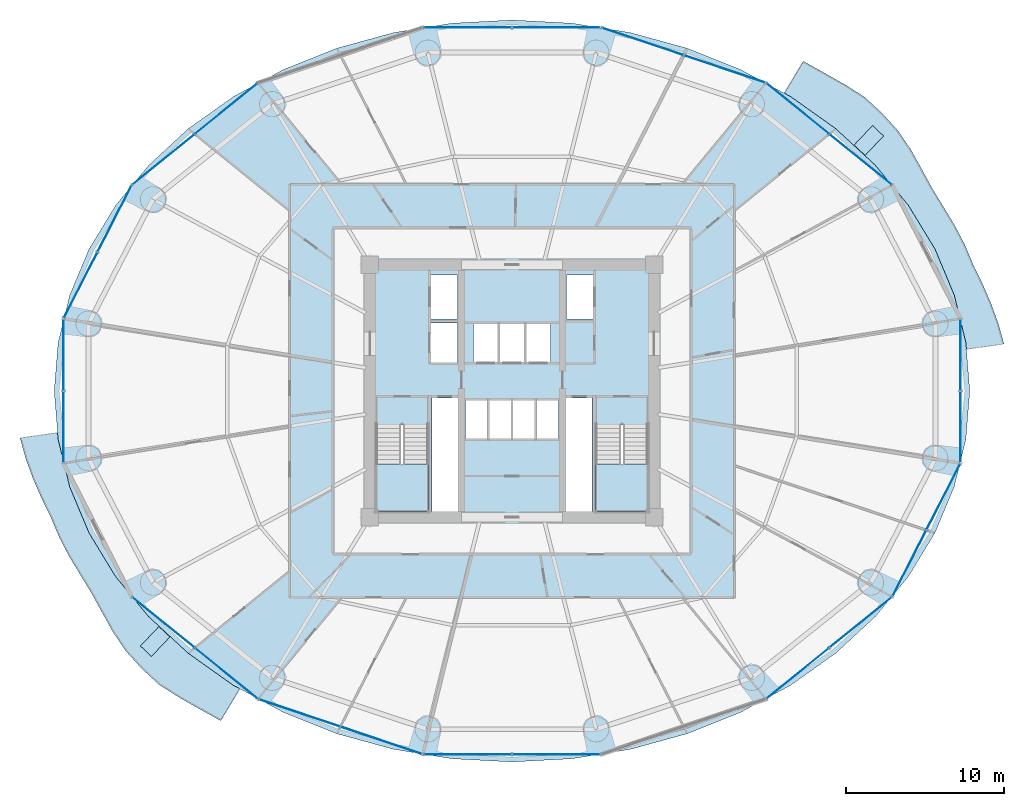
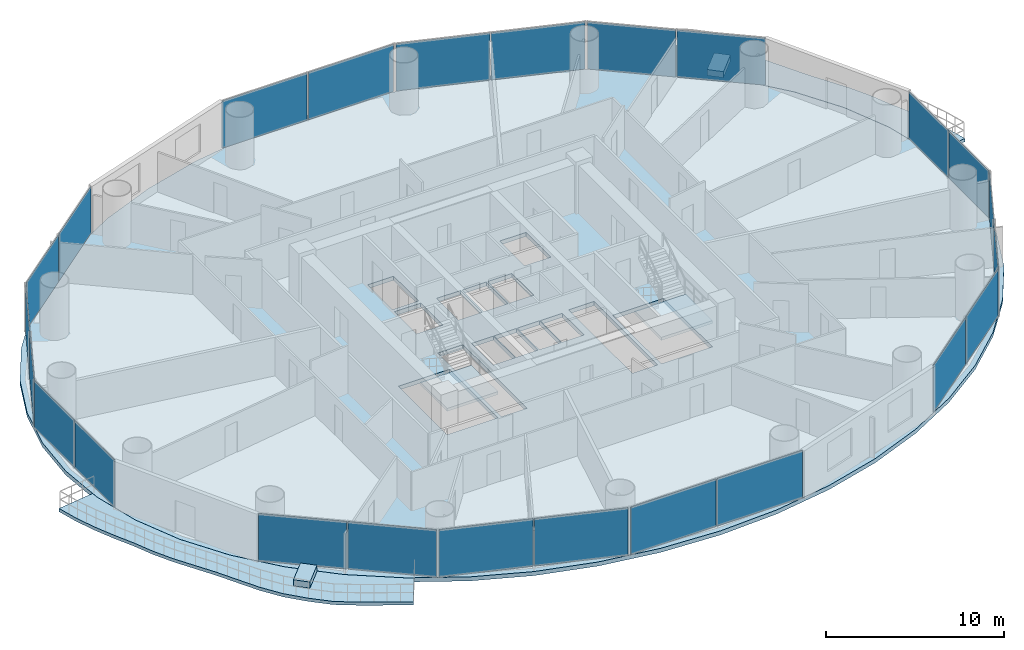
# One storey, part 22 of 30: 24 plates, 7 slabs, 14 elements without a shape of their own.
"""IFC4 building model written with IfcOpenShell, lengths in metres."""

import ifcopenshell
import ifcopenshell.guid

model = None  # the IFC model being written
_history = None  # IfcOwnerHistory: only IFC2X3 demands one
_inside = {}  # id of a spatial element -> (the spatial element, [elements in it])
_under = {}  # id of a project, library or spatial element -> (it, [spatial elements below it])
_declared = {}  # id of a project -> (the project, [libraries it declares])
_typed = {}  # id of a type object -> (the type object, [elements of that type])
_made_of = {}  # id of a material, layer set ... -> (it, [elements and type objects made of it])


def new_model(schema):
    """Start an empty IFC model of exactly this schema.

    Asked for "IFC4X3", IfcOpenShell would pick the latest addendum, in which some entities
    have other attributes; the version numbers below select the first issue.
    IFC2X3 requires an IfcOwnerHistory on every rooted entity: one is made here for all.
    """
    global model, _history
    if schema == "IFC4X3":
        model = ifcopenshell.file(schema_version=(4, 3, 0, 0))
    else:
        model = ifcopenshell.file(schema=schema)
    _inside.clear()
    _under.clear()
    _declared.clear()
    _typed.clear()
    _made_of.clear()
    _history = None
    if model.schema == "IFC2X3":
        org = make("IfcOrganization", Name="unknown")
        user = make(
            "IfcPersonAndOrganization",
            ThePerson=make("IfcPerson", FamilyName="unknown"),
            TheOrganization=org,
        )
        app = make(
            "IfcApplication",
            ApplicationDeveloper=org,
            Version="unknown",
            ApplicationFullName="unknown",
            ApplicationIdentifier="unknown",
        )
        _history = make(
            "IfcOwnerHistory",
            OwningUser=user,
            OwningApplication=app,
            ChangeAction="ADDED",
            CreationDate=0,
        )
    return model


def make(cls, **values):
    """One entity of the class cls with the attributes given. An attribute that is None is left unset."""
    return model.create_entity(
        cls, **{name: value for name, value in values.items() if value is not None}
    )


def rooted(cls, **values):
    """An entity with a GlobalId (a new one), such as an element, a storey or a relation."""
    return make(cls, GlobalId=ifcopenshell.guid.new(), OwnerHistory=_history, **values)


def si_unit(unit_type, name, prefix=None):
    """IfcSIUnit, for example si_unit("LENGTHUNIT", "METRE", prefix="MILLI")."""
    return make("IfcSIUnit", UnitType=unit_type, Prefix=prefix, Name=name)


def assignment(units):
    """IfcUnitAssignment: the units of a project."""
    return None if units is None else make("IfcUnitAssignment", Units=units)


def point(xyz):
    """IfcCartesianPoint."""
    return None if xyz is None else make("IfcCartesianPoint", Coordinates=xyz)


def direction(xyz):
    """IfcDirection."""
    return None if xyz is None else make("IfcDirection", DirectionRatios=xyz)


def frame(location, z_axis=None, x_axis=None):
    """IfcAxis2Placement3D, a coordinate frame: its origin and axes. An axis left out is left unset."""
    return make(
        "IfcAxis2Placement3D",
        Location=point(location),
        Axis=direction(z_axis),
        RefDirection=direction(x_axis),
    )


def frame_2d(location, x_axis=None):
    """IfcAxis2Placement2D, a coordinate frame in the plane: its origin and x axis."""
    return make(
        "IfcAxis2Placement2D", Location=point(location), RefDirection=direction(x_axis)
    )


def origin():
    """The frame at (0, 0, 0) with its axes left unset."""
    return frame((0.0, 0.0, 0.0))


def origin_2d():
    """The frame at (0, 0) in the plane with its x axis left unset."""
    return frame_2d((0.0, 0.0))


def place(relative_to, where):
    """IfcLocalPlacement: puts the frame where relative to a parent placement (None: the world)."""
    return make(
        "IfcLocalPlacement", PlacementRelTo=relative_to, RelativePlacement=where
    )


def context(
    kind, dimensions, precision=None, world=None, true_north=None, identifier=None
):
    """IfcGeometricRepresentationContext, for example the 3D "Model" context."""
    return make(
        "IfcGeometricRepresentationContext",
        ContextIdentifier=identifier,
        ContextType=kind,
        CoordinateSpaceDimension=dimensions,
        Precision=precision,
        WorldCoordinateSystem=world,
        TrueNorth=true_north,
    )


def subcontext(parent, identifier, kind, view, scale=None):
    """IfcGeometricRepresentationSubContext, for example "Body" below "Model"."""
    return make(
        "IfcGeometricRepresentationSubContext",
        ContextIdentifier=identifier,
        ContextType=kind,
        ParentContext=parent,
        TargetScale=scale,
        TargetView=view,
    )


def project(units=None, contexts=None):
    """IfcProject with its units and contexts."""
    return rooted(
        "IfcProject",
        Name="project",
        RepresentationContexts=contexts,
        UnitsInContext=assignment(units),
    )


def spatial(cls, under=None, at=None, **own):
    """A site, building, storey or space (cls), placed at a placement, below another one or the project."""
    s = rooted(cls, ObjectPlacement=at, **own)
    if under is not None:
        _under.setdefault(under.id(), (under, []))[1].append(s)
    return s


def polyline(points):
    """IfcPolyline through the points."""
    return make("IfcPolyline", Points=[point(p) for p in points])


def profile(cls, at=None, kind="AREA", **sizes):
    """A parametric profile (cls). Its sizes go by their IFC names, for example OverallWidth=200.0."""
    return make(cls, ProfileType=kind, Position=at, **sizes)


def rectangle(**sizes):
    """IfcRectangleProfileDef."""
    return profile("IfcRectangleProfileDef", **sizes)


def outline(outer, holes=None, kind="AREA"):
    """IfcArbitraryClosedProfileDef: a profile drawn as a closed curve; with holes, ...WithVoids."""
    if holes is None:
        return make("IfcArbitraryClosedProfileDef", ProfileType=kind, OuterCurve=outer)
    return make(
        "IfcArbitraryProfileDefWithVoids",
        ProfileType=kind,
        OuterCurve=outer,
        InnerCurves=holes,
    )


def extrude(swept, where, along, depth):
    """IfcExtrudedAreaSolid: the profile swept, set in the frame where, extruded along a direction by depth."""
    return make(
        "IfcExtrudedAreaSolid",
        SweptArea=swept,
        Position=where,
        ExtrudedDirection=direction(along),
        Depth=depth,
    )


def shape(context_of_items, identifier, shape_type, items):
    """IfcShapeRepresentation: the items that make up one representation, for example the "Body"."""
    return make(
        "IfcShapeRepresentation",
        ContextOfItems=context_of_items,
        RepresentationIdentifier=identifier,
        RepresentationType=shape_type,
        Items=items,
    )


def source(mapping_origin, context_of_items, identifier, shape_type, items):
    """IfcRepresentationMap: a shape defined once, which mapped items show again and again."""
    return make(
        "IfcRepresentationMap",
        MappingOrigin=mapping_origin,
        MappedRepresentation=shape(context_of_items, identifier, shape_type, items),
    )


def transform(
    local_origin,
    x_axis=None,
    y_axis=None,
    z_axis=None,
    scale=None,
    scale2=None,
    scale3=None,
    uniform=True,
):
    """IfcCartesianTransformationOperator3D, or its non-uniform kind. x_axis, y_axis, z_axis: its Axis1, 2, 3."""
    if uniform:
        return make(
            "IfcCartesianTransformationOperator3D",
            Axis1=direction(x_axis),
            Axis2=direction(y_axis),
            LocalOrigin=point(local_origin),
            Scale=scale,
            Axis3=direction(z_axis),
        )
    return make(
        "IfcCartesianTransformationOperator3DnonUniform",
        Axis1=direction(x_axis),
        Axis2=direction(y_axis),
        LocalOrigin=point(local_origin),
        Scale=scale,
        Axis3=direction(z_axis),
        Scale2=scale2,
        Scale3=scale3,
    )


def mapped(mapping_source, mapping_target):
    """IfcMappedItem: shows the shape of a source again, moved by a transform."""
    return make(
        "IfcMappedItem", MappingSource=mapping_source, MappingTarget=mapping_target
    )


def material(Name=None, Category=None):
    """IfcMaterial."""
    return make("IfcMaterial", Name=Name, Category=Category)


def layer(
    of_material, thickness, ventilated=None, Name=None, Category=None, Priority=None
):
    """IfcMaterialLayer: one layer of a wall or slab, of a material (None: an air gap)."""
    return make(
        "IfcMaterialLayer",
        Material=of_material,
        LayerThickness=thickness,
        IsVentilated=ventilated,
        Name=Name,
        Category=Category,
        Priority=Priority,
    )


def layer_set(layers, Name=None):
    """IfcMaterialLayerSet."""
    return make("IfcMaterialLayerSet", MaterialLayers=layers, LayerSetName=Name)


def made_of(thing, what):
    """Note that an element or type object is made of a material, layer set ...; save() writes the relation."""
    if what is not None:
        _made_of.setdefault(what.id(), (what, []))[1].append(thing)
    return thing


def type_object(cls, material=None, **own):
    """A type object (cls), such as IfcWallType, which elements share."""
    return made_of(rooted(cls, **own), material)


def element(
    cls,
    number,
    at=None,
    inside=None,
    cuts=None,
    type_object=None,
    material=None,
    context=None,
    identifier="Body",
    shape_type=None,
    held_by="IfcProductDefinitionShape",
    body=None,
    shapes=None,
    **own,
):
    """One element of the class cls, such as IfcWall. Its Tag is "e" and its number.

    at: its placement. inside: the storey or other place that contains it. cuts: it is an
    opening in that element (IfcRelVoidsElement). A single representation is given by context,
    identifier, shape_type and body (its items); several are given by shapes. held_by: the class
    of the entity that holds the representations. save() writes the other relations.
    """
    e = rooted(cls, Tag="e%d" % number, ObjectPlacement=at, **own)
    if body is not None:
        shapes = [shape(context, identifier, shape_type, body)]
    if shapes is not None:
        e.Representation = make(held_by, Representations=shapes)
    if inside is not None:
        _inside.setdefault(inside.id(), (inside, []))[1].append(e)
    if cuts is not None:
        rooted(
            "IfcRelVoidsElement", RelatingBuildingElement=cuts, RelatedOpeningElement=e
        )
    if type_object is not None:
        _typed.setdefault(type_object.id(), (type_object, []))[1].append(e)
    return made_of(e, material)


def aggregate(whole, parts):
    """IfcRelAggregates: a whole, such as a stair, and the parts it consists of."""
    return rooted("IfcRelAggregates", RelatingObject=whole, RelatedObjects=parts)


def save(model, path):
    """Write the relations noted so far, then the file.

    IfcRelAggregates (storeys below a building ...), IfcRelContainedInSpatialStructure (elements
    in a storey), IfcRelDefinesByType, IfcRelAssociatesMaterial and IfcRelDeclares: one each for
    every whole, place, type object, material and project.
    """
    for whole, parts in _under.values():
        aggregate(whole, parts)
    for where, things in _inside.values():
        rooted(
            "IfcRelContainedInSpatialStructure",
            RelatedElements=things,
            RelatingStructure=where,
        )
    for kind, things in _typed.values():
        rooted("IfcRelDefinesByType", RelatedObjects=things, RelatingType=kind)
    for what, things in _made_of.values():
        rooted("IfcRelAssociatesMaterial", RelatedObjects=things, RelatingMaterial=what)
    for by, libraries in _declared.values():
        rooted("IfcRelDeclares", RelatingContext=by, RelatedDefinitions=libraries)
    model.write(path)


model = new_model("IFC4")

# Units and contexts
model_context = context("Model", 3, precision=1e-05, world=origin(), true_north=direction((-0.2419218956, 0.970295726276)))
body_context = subcontext(model_context, "Body", "Model", "MODEL_VIEW")
ifc_project = project(units=[si_unit("LENGTHUNIT", "METRE"), si_unit("AREAUNIT", "SQUARE_METRE"), si_unit("VOLUMEUNIT", "CUBIC_METRE"), si_unit("PLANEANGLEUNIT", "RADIAN"), si_unit("MASSUNIT", "GRAM", prefix="KILO")], contexts=[model_context])

# Site, building, storey
site_placement = place(None, origin())
site = spatial("IfcSite", under=ifc_project, at=site_placement, CompositionType="ELEMENT")
building_placement = place(site_placement, origin())
building = spatial("IfcBuilding", under=site, at=building_placement, Name="Cobrevalo Terracotta Tower", CompositionType="ELEMENT")
storey_placement = place(building_placement, frame((0.0, 0.0, 31.199951171875)))
storey = spatial("IfcBuildingStorey", under=building, at=storey_placement, Name="L07", CompositionType="ELEMENT", Elevation=31.199951171875)

# Stair, slab
ifc_material_1 = material(Name="Concrete C50", Category="concrete")
stair_type = type_object("IfcStairType", Name="Core protected escape dogleg stair 1600", PredefinedType="HALF_TURN_STAIR", material=ifc_material_1)
stair_1_placement = place(storey_placement, origin())
stair_1 = element("IfcStair", 1, at=stair_1_placement, inside=storey, type_object=stair_type, Name="L07 Protected exit stair ST-1", PredefinedType="HALF_TURN_STAIR")
ifc_layer_1 = layer(ifc_material_1, 0.199951171875)
ifc_layer_set_1 = layer_set([ifc_layer_1], Name="Concrete C50")
slab_type_1 = type_object("IfcSlabType", Name="Reinforced Concrete Stair Landing 200", PredefinedType="LANDING", material=ifc_layer_set_1)
slab_1_placement = place(storey_placement, frame((0.0, 0.0, 1.60009765625)))
slab_1 = element("IfcSlab", 2, at=slab_1_placement, type_object=slab_type_1, Name="ST-1 landing 1", PredefinedType="LANDING", context=body_context, shape_type="SweptSolid", body=[
    extrude(outline(polyline([(29.375, 22.179931640625), (29.375, 19.175048828125), (32.695068359375, 19.175048828125), (32.695068359375, 22.179931640625), (29.375, 22.179931640625)])), origin(), (0.0, 0.0, 1.0), 0.199951171875),
])
aggregate(stair_1, [slab_1])

stair_2_placement = place(storey_placement, origin())
stair_2 = element("IfcStair", 3, at=stair_2_placement, inside=storey, type_object=stair_type, Name="L07 Protected exit stair ST-2", PredefinedType="HALF_TURN_STAIR")
slab_2_placement = place(storey_placement, frame((0.0, 0.0, 1.60009765625)))
slab_2 = element("IfcSlab", 4, at=slab_2_placement, type_object=slab_type_1, Name="ST-2 landing 1", PredefinedType="LANDING", context=body_context, shape_type="SweptSolid", body=[
    extrude(outline(polyline([(43.304931640625, 22.179931640625), (43.304931640625, 19.175048828125), (46.625, 19.175048828125), (46.625, 22.179931640625), (43.304931640625, 22.179931640625)])), origin(), (0.0, 0.0, 1.0), 0.199951171875),
])
aggregate(stair_2, [slab_2])

# Slabs
ifc_material_2 = material(Name="Concrete C45", Category="concrete")
ifc_layer_2 = layer(ifc_material_2, 0.219970703125)
ifc_layer_set_2 = layer_set([ifc_layer_2], Name="Concrete C45")
slab_type_2 = type_object("IfcSlabType", Name="Spiralling cantilevered balcony lobe slab 220 mm", PredefinedType="FLOOR", material=ifc_layer_set_2)
slab_3_placement = place(storey_placement, frame((0.0, 0.0, -0.219970703125)))
element("IfcSlab", 5, at=slab_3_placement, inside=storey, type_object=slab_type_2, Name="L07 spiralling arc balcony slab lobe 1", PredefinedType="FLOOR", context=body_context, shape_type="SweptSolid", body=[
    extrude(outline(polyline([(69.166259765625, 29.774658203125), (68.802001953125, 31.087158203125), (68.336669921875, 32.367431640625), (67.797119140625, 33.6044921875), (67.2041015625, 34.823974609375), (66.681884765625, 36.065185546875), (66.057861328125, 37.269287109375), (65.346435546875, 38.44091796875), (64.6337890625, 39.609619140625), (63.95068359375, 40.854736328125), (63.249755859375, 42.119873046875), (62.423828125, 43.32275390625), (61.427978515625, 44.41015625), (60.346923828125, 45.408935546875), (59.078857421875, 46.217041015625), (57.7724609375, 46.95654296875), (56.46435546875, 47.684326171875), (55.25146484375, 45.6640625), (55.6552734375, 45.4453125), (58.507568359375, 43.41845703125), (61.0087890625, 41.107177734375), (63.116455078125, 38.551025390625), (64.79443359375, 35.7939453125), (66.013671875, 32.8828125), (66.75390625, 29.86767578125), (66.788330078125, 29.4423828125), (69.166259765625, 29.774658203125)])), origin(), (0.0, 0.0, 1.0), 0.219970703125),
])
slab_4_placement = place(storey_placement, frame((0.0, 0.0, -0.219970703125)))
element("IfcSlab", 6, at=slab_4_placement, inside=storey, type_object=slab_type_2, Name="L07 spiralling arc balcony slab lobe 2", PredefinedType="FLOOR", context=body_context, shape_type="SweptSolid", body=[
    extrude(outline(polyline([(6.833740234375, 23.825439453125), (7.197998046875, 22.512939453125), (7.663330078125, 21.232666015625), (8.202880859375, 19.995361328125), (8.7958984375, 18.776123046875), (9.318115234375, 17.534912109375), (9.942138671875, 16.330810546875), (10.653564453125, 15.1591796875), (11.3662109375, 13.990478515625), (12.04931640625, 12.745361328125), (12.750244140625, 11.47998046875), (13.576171875, 10.277099609375), (14.572021484375, 9.18994140625), (15.653076171875, 8.191162109375), (16.921142578125, 7.383056640625), (18.2275390625, 6.6435546875), (19.53564453125, 5.915771484375), (20.74853515625, 7.935791015625), (20.3447265625, 8.154541015625), (17.492431640625, 10.181640625), (14.9912109375, 12.492919921875), (12.883544921875, 15.049072265625), (11.20556640625, 17.80615234375), (9.986328125, 20.71728515625), (9.24609375, 23.732421875), (9.211669921875, 24.15771484375), (6.833740234375, 23.825439453125)])), origin(), (0.0, 0.0, 1.0), 0.219970703125),
])
ifc_material_3 = material(Name="Precast concrete C45", Category="concrete")
ifc_layer_3 = layer(ifc_material_3, 0.419921875)
ifc_layer_set_3 = layer_set([ifc_layer_3], Name="Precast concrete C45")
slab_type_3 = type_object("IfcSlabType", Name="Structural tree planter trough base 420 mm", PredefinedType="USERDEFINED", material=ifc_layer_set_3)
slab_5_placement = place(storey_placement, origin())
element("IfcSlab", 7, at=slab_5_placement, inside=storey, type_object=slab_type_3, Name="L07 structural tree planter trough 1", ObjectType="PLANTER", PredefinedType="USERDEFINED", context=body_context, shape_type="SweptSolid", body=[
    extrude(outline(polyline([(60.3681640625, 41.720947265625), (61.537353515625, 42.955078125), (60.840576171875, 43.615234375), (59.671142578125, 42.38134765625), (60.3681640625, 41.720947265625)])), origin(), (0.0, 0.0, 1.0), 0.420166015625),
])
slab_6_placement = place(storey_placement, origin())
element("IfcSlab", 8, at=slab_6_placement, inside=storey, type_object=slab_type_3, Name="L07 structural tree planter trough 2", ObjectType="PLANTER", PredefinedType="USERDEFINED", context=body_context, shape_type="SweptSolid", body=[
    extrude(outline(polyline([(15.6318359375, 11.87890625), (14.462646484375, 10.64501953125), (15.159423828125, 9.984619140625), (16.328857421875, 11.21875), (15.6318359375, 11.87890625)])), origin(), (0.0, 0.0, 1.0), 0.420166015625),
])
ifc_layer_4 = layer(ifc_material_1, 0.280029296875)
ifc_layer_set_4 = layer_set([ifc_layer_4], Name="Concrete C50")
slab_type_4 = type_object("IfcSlabType", Name="Zone Z1 elliptical floor plate 280 mm", PredefinedType="FLOOR", material=ifc_layer_set_4)
slab_7_placement = place(storey_placement, frame((0.0, 0.0, -0.280029296875)))
element("IfcSlab", 9, at=slab_7_placement, inside=storey, type_object=slab_type_4, Name="L07 indoor elliptical floor slab", PredefinedType="FLOOR", context=body_context, shape_type="SweptSolid", body=[
    extrude(outline(polyline([(66.751953125, 23.732666015625), (66.011962890625, 20.7177734375), (64.79248046875, 17.806884765625), (63.11474609375, 15.050048828125), (61.00732421875, 12.494140625), (58.506103515625, 10.18310546875), (55.654052734375, 8.15625), (52.5, 6.448486328125), (49.097900390625, 5.0888671875), (45.505859375, 4.100830078125), (41.78515625, 3.5009765625), (38.0, 3.300048828125), (34.21484375, 3.5009765625), (30.494140625, 4.100830078125), (26.902099609375, 5.0888671875), (23.5, 6.448486328125), (20.345947265625, 8.15625), (17.493896484375, 10.18310546875), (14.99267578125, 12.494140625), (12.88525390625, 15.050048828125), (11.20751953125, 17.806884765625), (9.988037109375, 20.7177734375), (9.248046875, 23.732666015625), (9.0, 26.800048828125), (9.248046875, 29.867431640625), (9.988037109375, 32.88232421875), (11.20751953125, 35.79296875), (12.88525390625, 38.550048828125), (14.99267578125, 41.10595703125), (17.493896484375, 43.4169921875), (20.345947265625, 45.44384765625), (23.5, 47.151611328125), (26.902099609375, 48.51123046875), (30.494140625, 49.499267578125), (34.21484375, 50.098876953125), (38.0, 50.300048828125), (41.78515625, 50.098876953125), (45.505859375, 49.499267578125), (49.097900390625, 48.51123046875), (52.5, 47.151611328125), (55.654052734375, 45.44384765625), (58.506103515625, 43.4169921875), (61.00732421875, 41.10595703125), (63.11474609375, 38.550048828125), (64.79248046875, 35.79296875), (66.011962890625, 32.88232421875), (66.751953125, 29.867431640625), (67.0, 26.800048828125), (66.751953125, 23.732666015625)]), holes=[polyline([(32.695068359375, 19.175048828125), (32.695068359375, 24.659912109375), (29.375, 24.659912109375), (29.375, 19.175048828125), (32.695068359375, 19.175048828125)]), polyline([(34.574951171875, 19.175048828125), (34.574951171875, 26.360107421875), (32.919921875, 26.360107421875), (32.919921875, 19.175048828125), (34.574951171875, 19.175048828125)]), polyline([(36.47998046875, 23.800048828125), (36.47998046875, 26.25), (35.050048828125, 26.25), (35.050048828125, 23.800048828125), (36.47998046875, 23.800048828125)]), polyline([(37.9599609375, 23.800048828125), (37.9599609375, 26.25), (36.530029296875, 26.25), (36.530029296875, 23.800048828125), (37.9599609375, 23.800048828125)]), polyline([(37.1201171875, 28.60009765625), (37.1201171875, 31.050048828125), (35.550048828125, 31.050048828125), (35.550048828125, 28.60009765625), (37.1201171875, 28.60009765625)]), polyline([(34.550048828125, 28.60009765625), (34.550048828125, 31.10009765625), (32.85009765625, 31.10009765625), (32.85009765625, 28.60009765625), (34.550048828125, 28.60009765625)]), polyline([(34.550048828125, 31.35009765625), (34.550048828125, 34.14990234375), (32.85009765625, 34.14990234375), (32.85009765625, 31.35009765625), (34.550048828125, 31.35009765625)]), polyline([(46.625, 19.175048828125), (46.625, 24.659912109375), (43.304931640625, 24.659912109375), (43.304931640625, 19.175048828125), (46.625, 19.175048828125)]), polyline([(43.080078125, 19.175048828125), (43.080078125, 26.360107421875), (41.425048828125, 26.360107421875), (41.425048828125, 19.175048828125), (43.080078125, 19.175048828125)]), polyline([(39.469970703125, 23.800048828125), (39.469970703125, 26.25), (38.0400390625, 26.25), (38.0400390625, 23.800048828125), (39.469970703125, 23.800048828125)]), polyline([(40.949951171875, 23.800048828125), (40.949951171875, 26.25), (39.52001953125, 26.25), (39.52001953125, 23.800048828125), (40.949951171875, 23.800048828125)]), polyline([(38.780029296875, 28.60009765625), (38.780029296875, 31.050048828125), (37.219970703125, 31.050048828125), (37.219970703125, 28.60009765625), (38.780029296875, 28.60009765625)]), polyline([(40.449951171875, 28.60009765625), (40.449951171875, 31.050048828125), (38.8798828125, 31.050048828125), (38.8798828125, 28.60009765625), (40.449951171875, 28.60009765625)]), polyline([(43.14990234375, 31.35009765625), (43.14990234375, 34.14990234375), (41.449951171875, 34.14990234375), (41.449951171875, 31.35009765625), (43.14990234375, 31.35009765625)])]), origin(), (0.0, 0.0, 1.0), 0.280029296875),
])

# Curtain wall, plates
ifc_material_4 = material(Name="Anodized aluminium", Category="aluminium")
curtain_wall_type = type_object("IfcCurtainWallType", Name="Lower-tower unitised acoustic low-E curtain wall CW-U1", PredefinedType="NOTDEFINED", material=ifc_material_4)
curtain_wall_1_placement = place(storey_placement, origin())
curtain_wall_1 = element("IfcCurtainWall", 10, at=curtain_wall_1_placement, inside=storey, type_object=curtain_wall_type, Name="L07 curtain wall CW-L07-S02", PredefinedType="NOTDEFINED")
ifc_material_5 = material(Name="Solar-control low-E double glazing", Category="glass")
ifc_layer_5 = layer(ifc_material_5, 0.028076171875)
ifc_layer_set_5 = layer_set([ifc_layer_5], Name="Solar-control low-E double glazing")
plate_type = type_object("IfcPlateType", Name="Tower solar-control low-E vision glass panel 28 mm", PredefinedType="CURTAIN_PANEL", material=ifc_layer_set_5)
shared_shape_1 = source(origin(), body_context, "Body", "SweptSolid", [
    extrude(rectangle(XDim=5.023193359375, YDim=0.035888671875, at=origin_2d()), origin(), (0.0, 0.0, 1.0), 3.239990234375),
])
plate_1_placement = place(storey_placement, frame((60.073974609375, 41.470703125, 0.0400390625), z_axis=(0.0, 0.0, 1.0), x_axis=(-0.777007547884, 0.629491279154, 0.0)))
plate_1 = element("IfcPlate", 11, at=plate_1_placement, type_object=plate_type, Name="CW-L07-S02 glazing panel B01", PredefinedType="CURTAIN_PANEL", context=body_context, shape_type="MappedRepresentation", body=[
    mapped(shared_shape_1, transform((0.0, 0.0, 0.0), scale=1.0)),
])
plate_2_placement = place(storey_placement, frame((56.108642578125, 44.68310546875, 0.0400390625), z_axis=(0.0, 0.0, 1.0), x_axis=(-0.777007547884, 0.629491279154, 0.0)))
plate_2 = element("IfcPlate", 12, at=plate_2_placement, type_object=plate_type, Name="CW-L07-S02 glazing panel B02", PredefinedType="CURTAIN_PANEL", context=body_context, shape_type="MappedRepresentation", body=[
    mapped(shared_shape_1, transform((0.0, 0.0, 0.0), scale=1.0)),
])
aggregate(curtain_wall_1, [plate_1, plate_2])

curtain_wall_2_placement = place(storey_placement, origin())
curtain_wall_2 = element("IfcCurtainWall", 13, at=curtain_wall_2_placement, inside=storey, type_object=curtain_wall_type, Name="L07 curtain wall CW-L07-S06", PredefinedType="NOTDEFINED")
plate_3_placement = place(storey_placement, frame((19.891357421875, 44.68310546875, 0.0400390625), z_axis=(0.0, 0.0, 1.0), x_axis=(-0.777007547884, -0.629491279154, 0.0)))
plate_3 = element("IfcPlate", 14, at=plate_3_placement, type_object=plate_type, Name="CW-L07-S06 glazing panel B01", PredefinedType="CURTAIN_PANEL", context=body_context, shape_type="MappedRepresentation", body=[
    mapped(shared_shape_1, transform((0.0, 0.0, 0.0), scale=1.0)),
])
plate_4_placement = place(storey_placement, frame((15.926025390625, 41.470703125, 0.0400390625), z_axis=(0.0, 0.0, 1.0), x_axis=(-0.777007547884, -0.629491279154, 0.0)))
plate_4 = element("IfcPlate", 15, at=plate_4_placement, type_object=plate_type, Name="CW-L07-S06 glazing panel B02", PredefinedType="CURTAIN_PANEL", context=body_context, shape_type="MappedRepresentation", body=[
    mapped(shared_shape_1, transform((0.0, 0.0, 0.0), scale=1.0)),
])
aggregate(curtain_wall_2, [plate_3, plate_4])

curtain_wall_3_placement = place(storey_placement, origin())
curtain_wall_3 = element("IfcCurtainWall", 16, at=curtain_wall_3_placement, inside=storey, type_object=curtain_wall_type, Name="L07 curtain wall CW-L07-S10", PredefinedType="NOTDEFINED")
plate_5_placement = place(storey_placement, frame((15.926025390625, 12.12939453125, 0.0400390625), z_axis=(0.0, 0.0, 1.0), x_axis=(0.777007547884, -0.629491279154, 0.0)))
plate_5 = element("IfcPlate", 17, at=plate_5_placement, type_object=plate_type, Name="CW-L07-S10 glazing panel B01", PredefinedType="CURTAIN_PANEL", context=body_context, shape_type="MappedRepresentation", body=[
    mapped(shared_shape_1, transform((0.0, 0.0, 0.0), scale=1.0)),
])
plate_6_placement = place(storey_placement, frame((19.891357421875, 8.916748046875, 0.0400390625), z_axis=(0.0, 0.0, 1.0), x_axis=(0.777007547884, -0.629491279154, 0.0)))
plate_6 = element("IfcPlate", 18, at=plate_6_placement, type_object=plate_type, Name="CW-L07-S10 glazing panel B02", PredefinedType="CURTAIN_PANEL", context=body_context, shape_type="MappedRepresentation", body=[
    mapped(shared_shape_1, transform((0.0, 0.0, 0.0), scale=1.0)),
])
aggregate(curtain_wall_3, [plate_5, plate_6])

curtain_wall_4_placement = place(storey_placement, origin())
curtain_wall_4 = element("IfcCurtainWall", 19, at=curtain_wall_4_placement, inside=storey, type_object=curtain_wall_type, Name="L07 curtain wall CW-L07-S14", PredefinedType="NOTDEFINED")
plate_7_placement = place(storey_placement, frame((56.108642578125, 8.916748046875, 0.0400390625), z_axis=(0.0, 0.0, 1.0), x_axis=(0.777007547884, 0.629491279154, 0.0)))
plate_7 = element("IfcPlate", 20, at=plate_7_placement, type_object=plate_type, Name="CW-L07-S14 glazing panel B01", PredefinedType="CURTAIN_PANEL", context=body_context, shape_type="MappedRepresentation", body=[
    mapped(shared_shape_1, transform((0.0, 0.0, 0.0), scale=1.0)),
])
plate_8_placement = place(storey_placement, frame((60.073974609375, 12.12939453125, 0.0400390625), z_axis=(0.0, 0.0, 1.0), x_axis=(0.777007547884, 0.629491279154, 0.0)))
plate_8 = element("IfcPlate", 21, at=plate_8_placement, type_object=plate_type, Name="CW-L07-S14 glazing panel B02", PredefinedType="CURTAIN_PANEL", context=body_context, shape_type="MappedRepresentation", body=[
    mapped(shared_shape_1, transform((0.0, 0.0, 0.0), scale=1.0)),
])
aggregate(curtain_wall_4, [plate_7, plate_8])

curtain_wall_5_placement = place(storey_placement, origin())
curtain_wall_5 = element("IfcCurtainWall", 22, at=curtain_wall_5_placement, inside=storey, type_object=curtain_wall_type, Name="L07 curtain wall CW-L07-S03", PredefinedType="NOTDEFINED")
shared_shape_2 = source(origin(), body_context, "Body", "SweptSolid", [
    extrude(rectangle(XDim=5.3876953125, YDim=0.035888671875, at=origin_2d()), origin(), (0.0, 0.0, 1.0), 3.239990234375),
])
plate_9_placement = place(storey_placement, frame((51.465087890625, 47.197021484375, 0.0400390625), z_axis=(0.0, 0.0, 1.0), x_axis=(-0.948044172593, 0.318138722592, 0.0)))
plate_9 = element("IfcPlate", 23, at=plate_9_placement, type_object=plate_type, Name="CW-L07-S03 glazing panel B01", PredefinedType="CURTAIN_PANEL", context=body_context, shape_type="MappedRepresentation", body=[
    mapped(shared_shape_2, transform((0.0, 0.0, 0.0), scale=1.0)),
])
plate_10_placement = place(storey_placement, frame((46.281494140625, 48.9365234375, 0.0400390625), z_axis=(0.0, 0.0, 1.0), x_axis=(-0.948044172593, 0.318138722592, 0.0)))
plate_10 = element("IfcPlate", 24, at=plate_10_placement, type_object=plate_type, Name="CW-L07-S03 glazing panel B02", PredefinedType="CURTAIN_PANEL", context=body_context, shape_type="MappedRepresentation", body=[
    mapped(shared_shape_2, transform((0.0, 0.0, 0.0), scale=1.0)),
])
aggregate(curtain_wall_5, [plate_9, plate_10])

curtain_wall_6_placement = place(storey_placement, origin())
curtain_wall_6 = element("IfcCurtainWall", 25, at=curtain_wall_6_placement, inside=storey, type_object=curtain_wall_type, Name="L07 curtain wall CW-L07-S11", PredefinedType="NOTDEFINED")
plate_11_placement = place(storey_placement, frame((24.534912109375, 6.40283203125, 0.0400390625), z_axis=(0.0, 0.0, 1.0), x_axis=(0.948044172593, -0.318138722592, 0.0)))
plate_11 = element("IfcPlate", 26, at=plate_11_placement, type_object=plate_type, Name="CW-L07-S11 glazing panel B01", PredefinedType="CURTAIN_PANEL", context=body_context, shape_type="MappedRepresentation", body=[
    mapped(shared_shape_2, transform((0.0, 0.0, 0.0), scale=1.0)),
])
plate_12_placement = place(storey_placement, frame((29.718505859375, 4.663330078125, 0.0400390625), z_axis=(0.0, 0.0, 1.0), x_axis=(0.948044172593, -0.318138722592, 0.0)))
plate_12 = element("IfcPlate", 27, at=plate_12_placement, type_object=plate_type, Name="CW-L07-S11 glazing panel B02", PredefinedType="CURTAIN_PANEL", context=body_context, shape_type="MappedRepresentation", body=[
    mapped(shared_shape_2, transform((0.0, 0.0, 0.0), scale=1.0)),
])
aggregate(curtain_wall_6, [plate_11, plate_12])

curtain_wall_7_placement = place(storey_placement, origin())
curtain_wall_7 = element("IfcCurtainWall", 28, at=curtain_wall_7_placement, inside=storey, type_object=curtain_wall_type, Name="L07 curtain wall CW-L07-S04", PredefinedType="NOTDEFINED")
shared_shape_3 = source(origin(), body_context, "Body", "SweptSolid", [
    extrude(rectangle(XDim=5.53173828125, YDim=0.035888671875, at=origin_2d()), origin(), (0.0, 0.0, 1.0), 3.239990234375),
])
plate_13_placement = place(storey_placement, frame((40.805908203125, 49.819091796875, 0.0400390625), z_axis=(0.0, 0.0, 1.0), x_axis=(-1.0, 0.0, 0.0)))
plate_13 = element("IfcPlate", 29, at=plate_13_placement, type_object=plate_type, Name="CW-L07-S04 glazing panel B01", PredefinedType="CURTAIN_PANEL", context=body_context, shape_type="MappedRepresentation", body=[
    mapped(shared_shape_3, transform((0.0, 0.0, 0.0), scale=1.0)),
])
plate_14_placement = place(storey_placement, frame((35.194091796875, 49.819091796875, 0.0400390625), z_axis=(0.0, 0.0, 1.0), x_axis=(-1.0, 0.0, 0.0)))
plate_14 = element("IfcPlate", 30, at=plate_14_placement, type_object=plate_type, Name="CW-L07-S04 glazing panel B02", PredefinedType="CURTAIN_PANEL", context=body_context, shape_type="MappedRepresentation", body=[
    mapped(shared_shape_3, transform((0.0, 0.0, 0.0), scale=1.0)),
])
aggregate(curtain_wall_7, [plate_13, plate_14])

curtain_wall_8_placement = place(storey_placement, origin())
curtain_wall_8 = element("IfcCurtainWall", 31, at=curtain_wall_8_placement, inside=storey, type_object=curtain_wall_type, Name="L07 curtain wall CW-L07-S12", PredefinedType="NOTDEFINED")
plate_15_placement = place(storey_placement, frame((35.194091796875, 3.781005859375, 0.0400390625), z_axis=(0.0, 0.0, 1.0), x_axis=(1.0, 0.0, 0.0)))
plate_15 = element("IfcPlate", 32, at=plate_15_placement, type_object=plate_type, Name="CW-L07-S12 glazing panel B01", PredefinedType="CURTAIN_PANEL", context=body_context, shape_type="MappedRepresentation", body=[
    mapped(shared_shape_3, transform((0.0, 0.0, 0.0), scale=1.0)),
])
plate_16_placement = place(storey_placement, frame((40.805908203125, 3.781005859375, 0.0400390625), z_axis=(0.0, 0.0, 1.0), x_axis=(1.0, 0.0, 0.0)))
plate_16 = element("IfcPlate", 33, at=plate_16_placement, type_object=plate_type, Name="CW-L07-S12 glazing panel B02", PredefinedType="CURTAIN_PANEL", context=body_context, shape_type="MappedRepresentation", body=[
    mapped(shared_shape_3, transform((0.0, 0.0, 0.0), scale=1.0)),
])
aggregate(curtain_wall_8, [plate_15, plate_16])

curtain_wall_9_placement = place(storey_placement, origin())
curtain_wall_9 = element("IfcCurtainWall", 34, at=curtain_wall_9_placement, inside=storey, type_object=curtain_wall_type, Name="L07 curtain wall CW-L07-S08", PredefinedType="NOTDEFINED")
shared_shape_4 = source(origin(), body_context, "Body", "SweptSolid", [
    extrude(rectangle(XDim=4.458740234375, YDim=0.035888671875, at=origin_2d()), origin(), (0.0, 0.0, 1.0), 3.239990234375),
])
plate_17_placement = place(storey_placement, frame((9.586669921875, 29.0693359375, 0.0400390625), z_axis=(0.0, 0.0, 1.0), x_axis=(0.0, -1.0, 0.0)))
plate_17 = element("IfcPlate", 35, at=plate_17_placement, type_object=plate_type, Name="CW-L07-S08 glazing panel B01", PredefinedType="CURTAIN_PANEL", context=body_context, shape_type="MappedRepresentation", body=[
    mapped(shared_shape_4, transform((0.0, 0.0, 0.0), scale=1.0)),
])
plate_18_placement = place(storey_placement, frame((9.586669921875, 24.530517578125, 0.0400390625), z_axis=(0.0, 0.0, 1.0), x_axis=(0.0, -1.0, 0.0)))
plate_18 = element("IfcPlate", 36, at=plate_18_placement, type_object=plate_type, Name="CW-L07-S08 glazing panel B02", PredefinedType="CURTAIN_PANEL", context=body_context, shape_type="MappedRepresentation", body=[
    mapped(shared_shape_4, transform((0.0, 0.0, 0.0), scale=1.0)),
])
aggregate(curtain_wall_9, [plate_17, plate_18])

curtain_wall_10_placement = place(storey_placement, origin())
curtain_wall_10 = element("IfcCurtainWall", 37, at=curtain_wall_10_placement, inside=storey, type_object=curtain_wall_type, Name="L07 curtain wall CW-L07-S16", PredefinedType="NOTDEFINED")
plate_19_placement = place(storey_placement, frame((66.413330078125, 24.530517578125, 0.0400390625), z_axis=(0.0, 0.0, 1.0), x_axis=(0.0, 1.0, 0.0)))
plate_19 = element("IfcPlate", 38, at=plate_19_placement, type_object=plate_type, Name="CW-L07-S16 glazing panel B01", PredefinedType="CURTAIN_PANEL", context=body_context, shape_type="MappedRepresentation", body=[
    mapped(shared_shape_4, transform((0.0, 0.0, 0.0), scale=1.0)),
])
plate_20_placement = place(storey_placement, frame((66.413330078125, 29.0693359375, 0.0400390625), z_axis=(0.0, 0.0, 1.0), x_axis=(0.0, 1.0, 0.0)))
plate_20 = element("IfcPlate", 39, at=plate_20_placement, type_object=plate_type, Name="CW-L07-S16 glazing panel B02", PredefinedType="CURTAIN_PANEL", context=body_context, shape_type="MappedRepresentation", body=[
    mapped(shared_shape_4, transform((0.0, 0.0, 0.0), scale=1.0)),
])
aggregate(curtain_wall_10, [plate_19, plate_20])

curtain_wall_11_placement = place(storey_placement, origin())
curtain_wall_11 = element("IfcCurtainWall", 40, at=curtain_wall_11_placement, inside=storey, type_object=curtain_wall_type, Name="L07 curtain wall CW-L07-S07", PredefinedType="NOTDEFINED")
shared_shape_5 = source(origin(), body_context, "Body", "SweptSolid", [
    extrude(rectangle(XDim=4.631103515625, YDim=0.035888671875, at=origin_2d()), origin(), (0.0, 0.0, 1.0), 3.239990234375),
])
plate_21_placement = place(storey_placement, frame((12.82177734375, 37.706298828125, 0.0400390625), z_axis=(0.0, 0.0, 1.0), x_axis=(-0.45523102861, -0.890373354605, 0.0)))
plate_21 = element("IfcPlate", 41, at=plate_21_placement, type_object=plate_type, Name="CW-L07-S07 glazing panel B01", PredefinedType="CURTAIN_PANEL", context=body_context, shape_type="MappedRepresentation", body=[
    mapped(shared_shape_5, transform((0.0, 0.0, 0.0), scale=1.0)),
])
plate_22_placement = place(storey_placement, frame((10.67724609375, 33.51171875, 0.0400390625), z_axis=(0.0, 0.0, 1.0), x_axis=(-0.45523102861, -0.890373354605, 0.0)))
plate_22 = element("IfcPlate", 42, at=plate_22_placement, type_object=plate_type, Name="CW-L07-S07 glazing panel B02", PredefinedType="CURTAIN_PANEL", context=body_context, shape_type="MappedRepresentation", body=[
    mapped(shared_shape_5, transform((0.0, 0.0, 0.0), scale=1.0)),
])
aggregate(curtain_wall_11, [plate_21, plate_22])

curtain_wall_12_placement = place(storey_placement, origin())
curtain_wall_12 = element("IfcCurtainWall", 43, at=curtain_wall_12_placement, inside=storey, type_object=curtain_wall_type, Name="L07 curtain wall CW-L07-S15", PredefinedType="NOTDEFINED")
plate_23_placement = place(storey_placement, frame((63.17822265625, 15.893798828125, 0.0400390625), z_axis=(0.0, 0.0, 1.0), x_axis=(0.45523102861, 0.890373354605, 0.0)))
plate_23 = element("IfcPlate", 44, at=plate_23_placement, type_object=plate_type, Name="CW-L07-S15 glazing panel B01", PredefinedType="CURTAIN_PANEL", context=body_context, shape_type="MappedRepresentation", body=[
    mapped(shared_shape_5, transform((0.0, 0.0, 0.0), scale=1.0)),
])
plate_24_placement = place(storey_placement, frame((65.32275390625, 20.08837890625, 0.0400390625), z_axis=(0.0, 0.0, 1.0), x_axis=(0.45523102861, 0.890373354605, 0.0)))
plate_24 = element("IfcPlate", 45, at=plate_24_placement, type_object=plate_type, Name="CW-L07-S15 glazing panel B02", PredefinedType="CURTAIN_PANEL", context=body_context, shape_type="MappedRepresentation", body=[
    mapped(shared_shape_5, transform((0.0, 0.0, 0.0), scale=1.0)),
])
aggregate(curtain_wall_12, [plate_23, plate_24])

save(model, "model.ifc")
